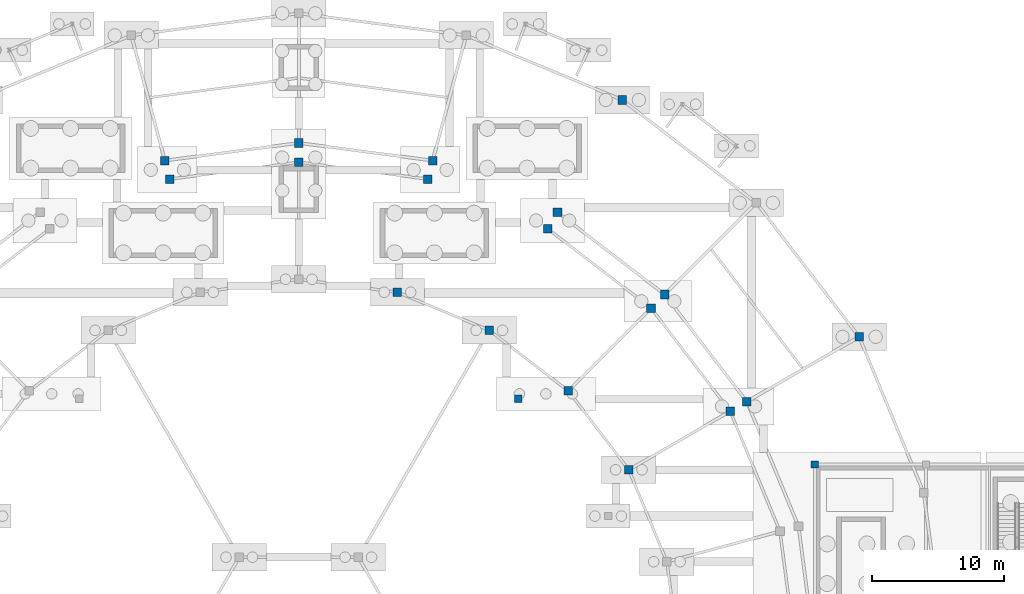
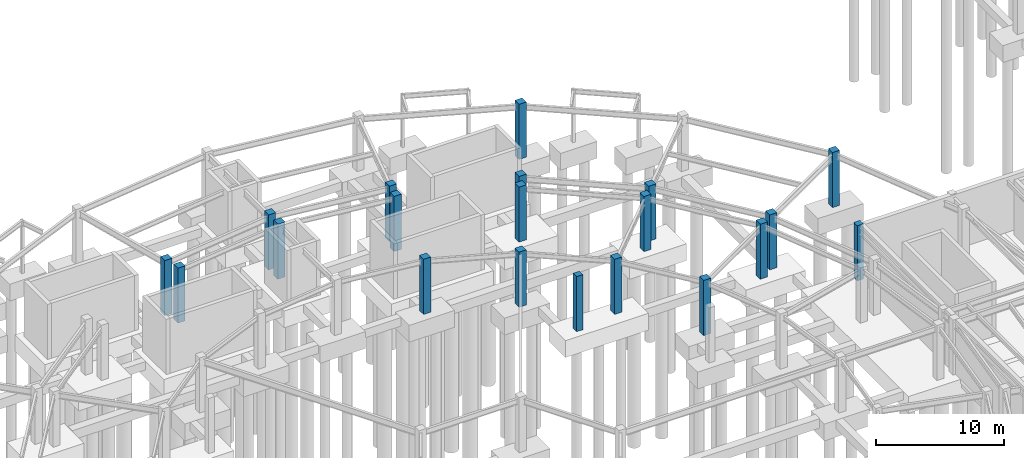
# One storey, part 25 of 55: 20 columns.
"""IFC4 building model written with IfcOpenShell, lengths in metres."""

from ifc_helpers import new_model, si_unit, direction, frame, origin, origin_2d, place, context, subcontext, project, spatial, rectangle, extrude, material, material_profile, profile_set, type_object, element, save


model = new_model("IFC4")

# Units and contexts
model_context = context("Model", 3, precision=1e-05, world=origin(), true_north=direction((0.0, 1.0)))
body_context = subcontext(model_context, "Body", "Model", "MODEL_VIEW")
ifc_project = project(units=[si_unit("LENGTHUNIT", "METRE"), si_unit("AREAUNIT", "SQUARE_METRE"), si_unit("VOLUMEUNIT", "CUBIC_METRE"), si_unit("PLANEANGLEUNIT", "RADIAN"), si_unit("MASSUNIT", "GRAM", prefix="KILO")], contexts=[model_context])

# Site, building, storey
site_placement = place(None, origin())
site = spatial("IfcSite", under=ifc_project, at=site_placement, CompositionType="ELEMENT")
building_placement = place(site_placement, origin())
building = spatial("IfcBuilding", under=site, at=building_placement, Name="Almandine Court Research Institute", CompositionType="ELEMENT")
storey_placement = place(building_placement, frame((0.0, 0.0, -5.25)))
storey = spatial("IfcBuildingStorey", under=building, at=storey_placement, Name="B1", CompositionType="ELEMENT", Elevation=-5.25)

# Columns
ifc_material = material(Name="Concrete C40/50", Category="concrete")
ifc_material_profile_1 = material_profile(ifc_material, rectangle(XDim=0.64990234375, YDim=0.64990234375, at=origin_2d()), Name="RC 650x650")
ifc_profile_set_1 = profile_set([ifc_material_profile_1], Name="Concrete C40/50")
column_type_1 = type_object("IfcColumnType", Name="Col-C-RC2", PredefinedType="COLUMN", material=ifc_profile_set_1)
for number, where, z_axis, x_axis, name in (
    (1, (120.862060546875, 75.550048828125, 0.0), (0.0, 0.0, 1.0), (1.0, 0.0, 0.0), "B1 V5 Column V5-IN-S02"),
    (2, (129.34912109375, 80.449951171875, 0.0), (0.0, 0.0, 1.0), (1.0, 0.0, 0.0), "B1 V5 Column V5-OUT-S02"),
    (3, (114.64794921875, 83.64794921875, 0.0), (0.0, 0.0, 1.0), (1.0, 0.0, 0.0), "B1 V5 Column V5-IN-S03"),
    (4, (106.550048828125, 89.862060546875, 0.0), (0.0, 0.0, 1.0), (1.0, 0.0, 0.0), "B1 V5 Column V5-IN-S04"),
    (5, (111.449951171875, 98.34912109375, 0.0), (0.0, 0.0, 1.0), (1.0, 0.0, 0.0), "B1 V5 Column V5-OUT-S04"),
    (6, (97.1201171875, 93.76806640625, 0.0), (0.0, 0.0, 1.0), (1.0, 0.0, 0.0), "B1 V5 Column V5-IN-S05"),
    (7, (87.0, 95.10009765625, 0.0), (0.0, 0.0, 1.0), (1.0, 0.0, 0.0), "B1 V5 Column V5-IN-S06"),
    (8, (76.8798828125, 93.76806640625, 0.0), (0.0, 0.0, 1.0), (1.0, 0.0, 0.0), "B1 V5 Column V5-IN-S07"),
    (9, (119.60595703125, 74.824951171875, 0.0), (0.0, 0.0, 1.0), (1.0, 0.0, 0.0), "B1 V2 Column V2-OUT-S02"),
    (10, (113.623046875, 82.623046875, 0.0), (0.0, 0.0, 1.0), (1.0, 0.0, 0.0), "B1 V2 Column V2-OUT-S03"),
    (11, (105.824951171875, 88.60595703125, 0.0), (0.0, 0.0, 1.0), (1.0, 0.0, 0.0), "B1 V2 Column V2-OUT-S04"),
    (12, (96.7451171875, 92.366943359375, 0.0), (0.0, 0.0, 1.0), (1.0, 0.0, 0.0), "B1 V2 Column V2-OUT-S05"),
    (13, (87.0, 93.64990234375, 0.0), (0.0, 0.0, 1.0), (1.0, 0.0, 0.0), "B1 V2 Column V2-OUT-S06"),
    (14, (77.2548828125, 92.366943359375, 0.0), (0.0, 0.0, 1.0), (1.0, 0.0, 0.0), "B1 V2 Column V2-OUT-S07"),
    (15, (111.94189453125, 70.39990234375, 0.0), (0.0, 0.0, 1.0), (1.0, 0.0, 0.0), "B1 V2 Column V2-MID-S02"),
    (16, (107.364990234375, 76.364990234375, 0.0), (0.0, 0.0, 1.0), (1.0, 0.0, 0.0), "B1 V2 Column V2-MID-S03"),
    (17, (101.39990234375, 80.94189453125, 0.0), (0.0, 0.0, 1.0), (1.0, 0.0, 0.0), "B1 V2 Column V2-MID-S04"),
    (18, (94.4541015625, 83.819091796875, 0.0), (0.0, 0.0, 1.0), (1.0, 0.0, 0.0), "B1 V2 Column V2-MID-S05"),
):
    element("IfcColumn", number, at=place(storey_placement, frame(where, z_axis=z_axis, x_axis=x_axis)), inside=storey, type_object=column_type_1, Name=name, PredefinedType="COLUMN", context=body_context, shape_type="SweptSolid", body=[
        extrude(rectangle(XDim=0.64990234375, YDim=0.64990234375, at=origin_2d()), origin(), (0.0, 0.0, 1.0), 5.25),
    ])
ifc_material_profile_2 = material_profile(ifc_material, rectangle(XDim=0.550048828125, YDim=0.550048828125, at=origin_2d()), Name="RC 550x550")
ifc_profile_set_2 = profile_set([ifc_material_profile_2], Name="Concrete C40/50")
column_type_2 = type_object("IfcColumnType", Name="Col-C-RC3", PredefinedType="COLUMN", material=ifc_profile_set_2)
for number, where, z_axis, x_axis, name in (
    (19, (126.0, 70.800048828125, 0.0), (0.0, 0.0, 1.0), (1.0, 0.0, 0.0), "B1 B1G Column B1G-X1Y6"),
    (20, (103.583984375, 75.763916015625, 0.0), (0.0, 0.0, 1.0), (1.0, 0.0, 0.0), "B1 V2 Column STAT2"),
):
    element("IfcColumn", number, at=place(storey_placement, frame(where, z_axis=z_axis, x_axis=x_axis)), inside=storey, type_object=column_type_2, Name=name, PredefinedType="COLUMN", context=body_context, shape_type="SweptSolid", body=[
        extrude(rectangle(XDim=0.550048828125, YDim=0.550048828125, at=origin_2d()), origin(), (0.0, 0.0, 1.0), 5.25),
    ])

save(model, "model.ifc")
